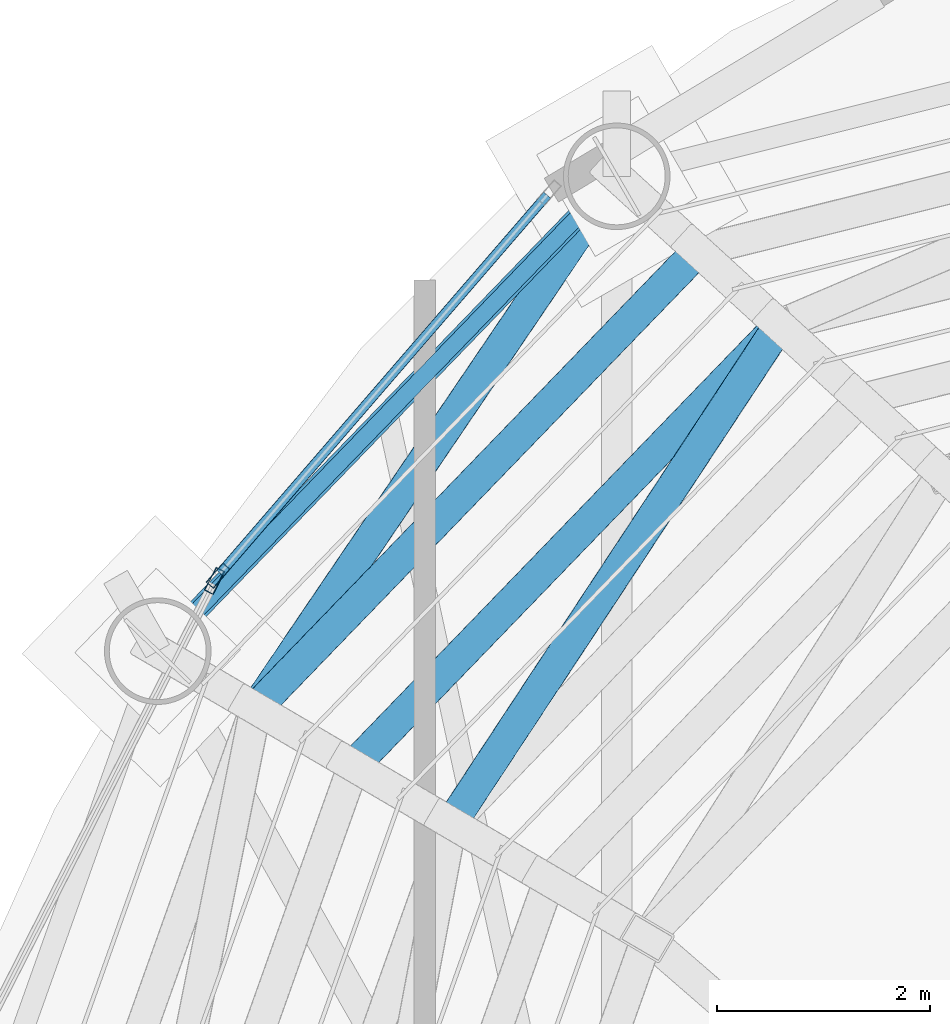
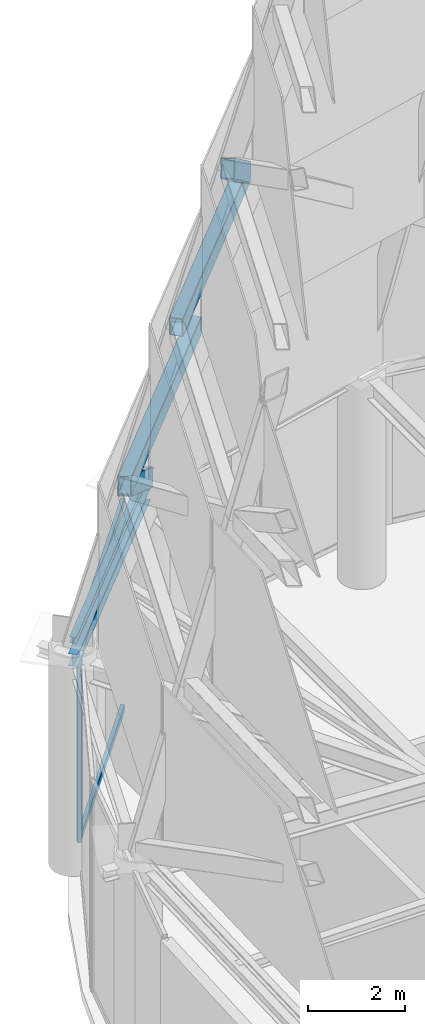
# One storey, part 26 of 40: 8 members, 2 beams, 2 elements without a shape of their own.
"""IFC4 building model written with IfcOpenShell, lengths in metres."""

import ifcopenshell
import ifcopenshell.guid

model = None  # the IFC model being written
_history = None  # IfcOwnerHistory: only IFC2X3 demands one
_inside = {}  # id of a spatial element -> (the spatial element, [elements in it])
_under = {}  # id of a project, library or spatial element -> (it, [spatial elements below it])
_declared = {}  # id of a project -> (the project, [libraries it declares])
_typed = {}  # id of a type object -> (the type object, [elements of that type])
_made_of = {}  # id of a material, layer set ... -> (it, [elements and type objects made of it])


def new_model(schema):
    """Start an empty IFC model of exactly this schema.

    Asked for "IFC4X3", IfcOpenShell would pick the latest addendum, in which some entities
    have other attributes; the version numbers below select the first issue.
    IFC2X3 requires an IfcOwnerHistory on every rooted entity: one is made here for all.
    """
    global model, _history
    if schema == "IFC4X3":
        model = ifcopenshell.file(schema_version=(4, 3, 0, 0))
    else:
        model = ifcopenshell.file(schema=schema)
    _inside.clear()
    _under.clear()
    _declared.clear()
    _typed.clear()
    _made_of.clear()
    _history = None
    if model.schema == "IFC2X3":
        org = make("IfcOrganization", Name="unknown")
        user = make(
            "IfcPersonAndOrganization",
            ThePerson=make("IfcPerson", FamilyName="unknown"),
            TheOrganization=org,
        )
        app = make(
            "IfcApplication",
            ApplicationDeveloper=org,
            Version="unknown",
            ApplicationFullName="unknown",
            ApplicationIdentifier="unknown",
        )
        _history = make(
            "IfcOwnerHistory",
            OwningUser=user,
            OwningApplication=app,
            ChangeAction="ADDED",
            CreationDate=0,
        )
    return model


def make(cls, **values):
    """One entity of the class cls with the attributes given. An attribute that is None is left unset."""
    return model.create_entity(
        cls, **{name: value for name, value in values.items() if value is not None}
    )


def rooted(cls, **values):
    """An entity with a GlobalId (a new one), such as an element, a storey or a relation."""
    return make(cls, GlobalId=ifcopenshell.guid.new(), OwnerHistory=_history, **values)


def si_unit(unit_type, name, prefix=None):
    """IfcSIUnit, for example si_unit("LENGTHUNIT", "METRE", prefix="MILLI")."""
    return make("IfcSIUnit", UnitType=unit_type, Prefix=prefix, Name=name)


def assignment(units):
    """IfcUnitAssignment: the units of a project."""
    return None if units is None else make("IfcUnitAssignment", Units=units)


def point(xyz):
    """IfcCartesianPoint."""
    return None if xyz is None else make("IfcCartesianPoint", Coordinates=xyz)


def direction(xyz):
    """IfcDirection."""
    return None if xyz is None else make("IfcDirection", DirectionRatios=xyz)


def frame(location, z_axis=None, x_axis=None):
    """IfcAxis2Placement3D, a coordinate frame: its origin and axes. An axis left out is left unset."""
    return make(
        "IfcAxis2Placement3D",
        Location=point(location),
        Axis=direction(z_axis),
        RefDirection=direction(x_axis),
    )


def frame_2d(location, x_axis=None):
    """IfcAxis2Placement2D, a coordinate frame in the plane: its origin and x axis."""
    return make(
        "IfcAxis2Placement2D", Location=point(location), RefDirection=direction(x_axis)
    )


def origin():
    """The frame at (0, 0, 0) with its axes left unset."""
    return frame((0.0, 0.0, 0.0))


def origin_2d():
    """The frame at (0, 0) in the plane with its x axis left unset."""
    return frame_2d((0.0, 0.0))


def place(relative_to, where):
    """IfcLocalPlacement: puts the frame where relative to a parent placement (None: the world)."""
    return make(
        "IfcLocalPlacement", PlacementRelTo=relative_to, RelativePlacement=where
    )


def context(
    kind, dimensions, precision=None, world=None, true_north=None, identifier=None
):
    """IfcGeometricRepresentationContext, for example the 3D "Model" context."""
    return make(
        "IfcGeometricRepresentationContext",
        ContextIdentifier=identifier,
        ContextType=kind,
        CoordinateSpaceDimension=dimensions,
        Precision=precision,
        WorldCoordinateSystem=world,
        TrueNorth=true_north,
    )


def subcontext(parent, identifier, kind, view, scale=None):
    """IfcGeometricRepresentationSubContext, for example "Body" below "Model"."""
    return make(
        "IfcGeometricRepresentationSubContext",
        ContextIdentifier=identifier,
        ContextType=kind,
        ParentContext=parent,
        TargetScale=scale,
        TargetView=view,
    )


def project(units=None, contexts=None):
    """IfcProject with its units and contexts."""
    return rooted(
        "IfcProject",
        Name="project",
        RepresentationContexts=contexts,
        UnitsInContext=assignment(units),
    )


def spatial(cls, under=None, at=None, **own):
    """A site, building, storey or space (cls), placed at a placement, below another one or the project."""
    s = rooted(cls, ObjectPlacement=at, **own)
    if under is not None:
        _under.setdefault(under.id(), (under, []))[1].append(s)
    return s


def profile(cls, at=None, kind="AREA", **sizes):
    """A parametric profile (cls). Its sizes go by their IFC names, for example OverallWidth=200.0."""
    return make(cls, ProfileType=kind, Position=at, **sizes)


def hollow_rectangle(**sizes):
    """IfcRectangleHollowProfileDef."""
    return profile("IfcRectangleHollowProfileDef", **sizes)


def i_section(**sizes):
    """IfcIShapeProfileDef."""
    return profile("IfcIShapeProfileDef", **sizes)


def extrude(swept, where, along, depth):
    """IfcExtrudedAreaSolid: the profile swept, set in the frame where, extruded along a direction by depth."""
    return make(
        "IfcExtrudedAreaSolid",
        SweptArea=swept,
        Position=where,
        ExtrudedDirection=direction(along),
        Depth=depth,
    )


def shape(context_of_items, identifier, shape_type, items):
    """IfcShapeRepresentation: the items that make up one representation, for example the "Body"."""
    return make(
        "IfcShapeRepresentation",
        ContextOfItems=context_of_items,
        RepresentationIdentifier=identifier,
        RepresentationType=shape_type,
        Items=items,
    )


def material(Name=None, Category=None):
    """IfcMaterial."""
    return make("IfcMaterial", Name=Name, Category=Category)


def layer(
    of_material, thickness, ventilated=None, Name=None, Category=None, Priority=None
):
    """IfcMaterialLayer: one layer of a wall or slab, of a material (None: an air gap)."""
    return make(
        "IfcMaterialLayer",
        Material=of_material,
        LayerThickness=thickness,
        IsVentilated=ventilated,
        Name=Name,
        Category=Category,
        Priority=Priority,
    )


def layer_set(layers, Name=None):
    """IfcMaterialLayerSet."""
    return make("IfcMaterialLayerSet", MaterialLayers=layers, LayerSetName=Name)


def material_profile(
    of_material, cross_section, Name=None, Category=None, Priority=None
):
    """IfcMaterialProfile: a cross section and its material."""
    return make(
        "IfcMaterialProfile",
        Name=Name,
        Material=of_material,
        Profile=cross_section,
        Priority=Priority,
        Category=Category,
    )


def profile_set(profiles, Name=None, composite=None):
    """IfcMaterialProfileSet."""
    return make(
        "IfcMaterialProfileSet",
        Name=Name,
        MaterialProfiles=profiles,
        CompositeProfile=composite,
    )


def made_of(thing, what):
    """Note that an element or type object is made of a material, layer set ...; save() writes the relation."""
    if what is not None:
        _made_of.setdefault(what.id(), (what, []))[1].append(thing)
    return thing


def type_object(cls, material=None, **own):
    """A type object (cls), such as IfcWallType, which elements share."""
    return made_of(rooted(cls, **own), material)


def element(
    cls,
    number,
    at=None,
    inside=None,
    cuts=None,
    type_object=None,
    material=None,
    context=None,
    identifier="Body",
    shape_type=None,
    held_by="IfcProductDefinitionShape",
    body=None,
    shapes=None,
    **own,
):
    """One element of the class cls, such as IfcWall. Its Tag is "e" and its number.

    at: its placement. inside: the storey or other place that contains it. cuts: it is an
    opening in that element (IfcRelVoidsElement). A single representation is given by context,
    identifier, shape_type and body (its items); several are given by shapes. held_by: the class
    of the entity that holds the representations. save() writes the other relations.
    """
    e = rooted(cls, Tag="e%d" % number, ObjectPlacement=at, **own)
    if body is not None:
        shapes = [shape(context, identifier, shape_type, body)]
    if shapes is not None:
        e.Representation = make(held_by, Representations=shapes)
    if inside is not None:
        _inside.setdefault(inside.id(), (inside, []))[1].append(e)
    if cuts is not None:
        rooted(
            "IfcRelVoidsElement", RelatingBuildingElement=cuts, RelatedOpeningElement=e
        )
    if type_object is not None:
        _typed.setdefault(type_object.id(), (type_object, []))[1].append(e)
    return made_of(e, material)


def aggregate(whole, parts):
    """IfcRelAggregates: a whole, such as a stair, and the parts it consists of."""
    return rooted("IfcRelAggregates", RelatingObject=whole, RelatedObjects=parts)


def save(model, path):
    """Write the relations noted so far, then the file.

    IfcRelAggregates (storeys below a building ...), IfcRelContainedInSpatialStructure (elements
    in a storey), IfcRelDefinesByType, IfcRelAssociatesMaterial and IfcRelDeclares: one each for
    every whole, place, type object, material and project.
    """
    for whole, parts in _under.values():
        aggregate(whole, parts)
    for where, things in _inside.values():
        rooted(
            "IfcRelContainedInSpatialStructure",
            RelatedElements=things,
            RelatingStructure=where,
        )
    for kind, things in _typed.values():
        rooted("IfcRelDefinesByType", RelatedObjects=things, RelatingType=kind)
    for what, things in _made_of.values():
        rooted("IfcRelAssociatesMaterial", RelatedObjects=things, RelatingMaterial=what)
    for by, libraries in _declared.values():
        rooted("IfcRelDeclares", RelatingContext=by, RelatedDefinitions=libraries)
    model.write(path)


model = new_model("IFC4")

# Units and contexts
model_context = context("Model", 3, precision=1e-05, world=origin(), true_north=direction((0.0, 1.0)))
body_context = subcontext(model_context, "Body", "Model", "MODEL_VIEW")
ifc_project = project(units=[si_unit("LENGTHUNIT", "METRE"), si_unit("AREAUNIT", "SQUARE_METRE"), si_unit("VOLUMEUNIT", "CUBIC_METRE"), si_unit("PLANEANGLEUNIT", "RADIAN"), si_unit("MASSUNIT", "GRAM", prefix="KILO")], contexts=[model_context])

# Site, building, storey
site_placement = place(None, origin())
site = spatial("IfcSite", under=ifc_project, at=site_placement, CompositionType="ELEMENT")
building_placement = place(site_placement, origin())
building = spatial("IfcBuilding", under=site, at=building_placement, Name="Bramvorn Convention Spire", CompositionType="ELEMENT")
storey_placement = place(building_placement, frame((0.0, 0.0, 312.5)))
storey = spatial("IfcBuildingStorey", under=building, at=storey_placement, Name="L79", CompositionType="ELEMENT", Elevation=312.5)

# Beams
ifc_material_1 = material(Name="Steel CSA G40.21 Grade 350 (350W)", Category="steel")
ifc_material_profile_1 = material_profile(ifc_material_1, i_section(OverallWidth=0.152099609375, OverallDepth=0.152099609375, WebThickness=0.005859375, FlangeThickness=0.006591796875, FilletRadius=0.008056640625, at=origin_2d()))
ifc_profile_set_1 = profile_set([ifc_material_profile_1], Name="Steel CSA G40.21 Grade 350 (350W) - W150X22")
beam_type_1 = type_object("IfcBeamType", Name="BM-W150X22", PredefinedType="USERDEFINED", material=ifc_profile_set_1)
beam_1_placement = place(storey_placement, frame((26.800048828125, 45.39892578125, 5.60009765625), z_axis=(-0.695007159797, -0.719002814898, 0.0), x_axis=(0.719002814898, -0.695007159797, 0.0)))
element("IfcBeam", 1, at=beam_1_placement, inside=storey, type_object=beam_type_1, Name="Crown spire base glazing purlin 09", ObjectType="PURLIN", PredefinedType="USERDEFINED", context=body_context, shape_type="SweptSolid", body=[
    extrude(i_section(OverallWidth=0.152099609375, OverallDepth=0.152099609375, WebThickness=0.005859375, FlangeThickness=0.006591796875, FilletRadius=0.008056640625, at=origin_2d()), origin(), (0.0, 0.0, 1.0), 6.1962890625),
])
ifc_material_profile_2 = material_profile(ifc_material_1, i_section(OverallWidth=0.202880859375, OverallDepth=0.302978515625, WebThickness=0.007568359375, FlangeThickness=0.01318359375, FilletRadius=0.013916015625, at=origin_2d()))
ifc_profile_set_2 = profile_set([ifc_material_profile_2], Name="Steel CSA G40.21 Grade 350 (350W) - W310X60")
beam_type_2 = type_object("IfcBeamType", Name="BM-W310X60", PredefinedType="JOIST", material=ifc_profile_set_2)
beam_2_placement = place(storey_placement, frame((26.800048828125, 45.39892578125, 5.098388671875), z_axis=(-0.695007159797, -0.719002814898, 0.0), x_axis=(0.719002814898, -0.695007159797, 0.0)))
element("IfcBeam", 2, at=beam_2_placement, inside=storey, type_object=beam_type_2, Name="L79 mega-column ring beam 09", PredefinedType="JOIST", context=body_context, shape_type="SweptSolid", body=[
    extrude(i_section(OverallWidth=0.202880859375, OverallDepth=0.302978515625, WebThickness=0.007568359375, FlangeThickness=0.01318359375, FilletRadius=0.013916015625, at=origin_2d()), origin(), (0.0, 0.0, 1.0), 6.1962890625),
])

# Curtain wall, member
ifc_material_2 = material(Name="Anodised Bronze Unitised Curtain Wall", Category="aluminium")
ifc_layer = layer(ifc_material_2, 0.199951171875)
ifc_layer_set = layer_set([ifc_layer], Name="Anodised Bronze Unitised Curtain Wall - CW-CROWN-SPIRE")
curtain_wall_type = type_object("IfcCurtainWallType", Name="CW-CROWN-SPIRE", PredefinedType="USERDEFINED", material=ifc_layer_set)
curtain_wall_1_placement = place(storey_placement, origin())
curtain_wall_1 = element("IfcCurtainWall", 3, at=curtain_wall_1_placement, inside=storey, type_object=curtain_wall_type, Name="L79 fritted glass curtain wall 14", ObjectType="UNITISED CURTAIN WALL", PredefinedType="USERDEFINED")
ifc_material_3 = material(Name="Anodised Bronze Aluminium 6063-T6", Category="aluminium")
ifc_material_profile_3 = material_profile(ifc_material_3, hollow_rectangle(XDim=0.090087890625, YDim=0.239990234375, WallThickness=0.00439453125, InnerFilletRadius=0.0009765625, OuterFilletRadius=0.00439453125, at=origin_2d()))
ifc_profile_set_3 = profile_set([ifc_material_profile_3], Name="Anodised Bronze Aluminium 6063-T6 - CWM90X240")
member_type_1 = type_object("IfcMemberType", Name="CW-MUL-220", PredefinedType="MULLION", material=ifc_profile_set_3)
member_1_placement = place(storey_placement, frame((23.06005859375, 41.652587890625, 0.0), z_axis=(0.0, 0.0, 1.0), x_axis=(-0.756460178654, 0.6540397527, 0.0)))
member_1 = element("IfcMember", 4, at=member_1_placement, type_object=member_type_1, Name="CW6 mullion 1", PredefinedType="MULLION", context=body_context, shape_type="SweptSolid", body=[
    extrude(hollow_rectangle(XDim=0.090087890625, YDim=0.239990234375, WallThickness=0.00439453125, InnerFilletRadius=0.0009765625, OuterFilletRadius=0.00439453125, at=origin_2d()), origin(), (0.0, 0.0, 1.0), 5.25),
])

curtain_wall_2_placement = place(storey_placement, origin())
curtain_wall_2 = element("IfcCurtainWall", 5, at=curtain_wall_2_placement, inside=storey, type_object=curtain_wall_type, Name="L79 fritted glass curtain wall 15", ObjectType="UNITISED CURTAIN WALL", PredefinedType="USERDEFINED")
member_2_placement = place(storey_placement, frame((23.02685546875, 41.603271484375, 0.0), z_axis=(0.0, 0.0, 1.0), x_axis=(-0.890509664931, 0.454964324607, 0.0)))
member_2 = element("IfcMember", 6, at=member_2_placement, type_object=member_type_1, Name="CW6 mullion 2", PredefinedType="MULLION", context=body_context, shape_type="SweptSolid", body=[
    extrude(hollow_rectangle(XDim=0.090087890625, YDim=0.239990234375, WallThickness=0.00439453125, InnerFilletRadius=0.0009765625, OuterFilletRadius=0.00439453125, at=origin_2d()), origin(), (0.0, 0.0, 1.0), 5.25),
])
aggregate(curtain_wall_2, [member_2])

# Member
ifc_material_profile_4 = material_profile(ifc_material_3, hollow_rectangle(XDim=0.090087890625, YDim=0.179931640625, WallThickness=0.00439453125, InnerFilletRadius=0.0009765625, OuterFilletRadius=0.00439453125, at=origin_2d()))
ifc_profile_set_4 = profile_set([ifc_material_profile_4], Name="Anodised Bronze Aluminium 6063-T6 - CWT90X180")
member_type_2 = type_object("IfcMemberType", Name="CW-TRN-180", PredefinedType="USERDEFINED", material=ifc_profile_set_4)
member_3_placement = place(storey_placement, frame((23.079833984375, 41.67529296875, 0.030029296875), z_axis=(0.654004645726, 0.756490530918, 0.0), x_axis=(-0.756490530918, 0.654004645726, 0.0)))
member_3 = element("IfcMember", 7, at=member_3_placement, type_object=member_type_2, Name="CW6 transom 1.1", ObjectType="TRANSOM", PredefinedType="USERDEFINED", context=body_context, shape_type="SweptSolid", body=[
    extrude(hollow_rectangle(XDim=0.090087890625, YDim=0.179931640625, WallThickness=0.00439453125, InnerFilletRadius=0.0009765625, OuterFilletRadius=0.00439453125, at=origin_2d()), origin(), (0.0, 0.0, 1.0), 4.6904296875),
])

member_4_placement = place(storey_placement, frame((23.079833984375, 41.67529296875, 5.219970703125), z_axis=(0.654004645726, 0.756490530918, 0.0), x_axis=(-0.756490530918, 0.654004645726, 0.0)))
member_4 = element("IfcMember", 8, at=member_4_placement, type_object=member_type_2, Name="CW6 transom 1.2", ObjectType="TRANSOM", PredefinedType="USERDEFINED", context=body_context, shape_type="SweptSolid", body=[
    extrude(hollow_rectangle(XDim=0.090087890625, YDim=0.179931640625, WallThickness=0.00439453125, InnerFilletRadius=0.0009765625, OuterFilletRadius=0.00439453125, at=origin_2d()), origin(), (0.0, 0.0, 1.0), 4.6904296875),
])

aggregate(curtain_wall_1, [member_1, member_3, member_4])

# Members
ifc_material_profile_5 = material_profile(ifc_material_1, hollow_rectangle(XDim=0.300048828125, YDim=0.449951171875, WallThickness=0.02001953125, InnerFilletRadius=0.00390625, OuterFilletRadius=0.02392578125, at=origin_2d()))
ifc_profile_set_5 = profile_set([ifc_material_profile_5], Name="Steel CSA G40.21 Grade 350 (350W) - CROWN450X300X20")
member_type_3 = type_object("IfcMemberType", Name="MBR-CROWN450X300X20", PredefinedType="USERDEFINED", material=ifc_profile_set_5)
member_5_placement = place(storey_placement, frame((27.563232421875, 44.70068359375, 9.5), z_axis=(-0.694988290365, -0.719021054111, 0.0), x_axis=(0.719021054111, -0.694988290365, 0.0)))
element("IfcMember", 9, at=member_5_placement, inside=storey, type_object=member_type_3, Name="Crown spire CROWN FRAME ring beam T1-09", ObjectType="CROWN FRAME", PredefinedType="USERDEFINED", context=body_context, shape_type="SweptSolid", body=[
    extrude(hollow_rectangle(XDim=0.300048828125, YDim=0.449951171875, WallThickness=0.02001953125, InnerFilletRadius=0.00390625, OuterFilletRadius=0.02392578125, at=origin_2d()), origin(), (0.0, 0.0, 1.0), 5.973388671875),
])
member_6_placement = place(storey_placement, frame((26.800048828125, 45.39892578125, 5.5), z_axis=(-0.468008501694, -0.689703838928, 0.552518467484), x_axis=(0.827478459906, -0.561497460717, 0.0)))
element("IfcMember", 10, at=member_6_placement, inside=storey, type_object=member_type_3, Name="Crown spire CROWN FRAME wind brace T1-09", ObjectType="CROWN FRAME", PredefinedType="USERDEFINED", context=body_context, shape_type="SweptSolid", body=[
    extrude(hollow_rectangle(XDim=0.300048828125, YDim=0.449951171875, WallThickness=0.02001953125, InnerFilletRadius=0.00390625, OuterFilletRadius=0.02392578125, at=origin_2d()), origin(), (0.0, 0.0, 1.0), 7.239501953125),
])
member_7_placement = place(storey_placement, frame((28.326416015625, 44.002197265625, 13.5), z_axis=(-0.695010390672, -0.718999691834, 0.0), x_axis=(0.718999691834, -0.695010390672, 0.0)))
element("IfcMember", 11, at=member_7_placement, inside=storey, type_object=member_type_3, Name="Crown spire CROWN FRAME ring beam T2-09", ObjectType="CROWN FRAME", PredefinedType="USERDEFINED", context=body_context, shape_type="SweptSolid", body=[
    extrude(hollow_rectangle(XDim=0.300048828125, YDim=0.449951171875, WallThickness=0.02001953125, InnerFilletRadius=0.00390625, OuterFilletRadius=0.02392578125, at=origin_2d()), origin(), (0.0, 0.0, 1.0), 5.75),
])
member_8_placement = place(storey_placement, frame((28.326416015625, 44.002197265625, 13.5), z_axis=(-0.447536961486, -0.679327599057, 0.581570873809), x_axis=(0.835072103993, -0.550140510354, 0.0)))
element("IfcMember", 12, at=member_8_placement, inside=storey, type_object=member_type_3, Name="Crown spire CROWN FRAME wind brace T3-09", ObjectType="CROWN FRAME", PredefinedType="USERDEFINED", context=body_context, shape_type="SweptSolid", body=[
    extrude(hollow_rectangle(XDim=0.300048828125, YDim=0.449951171875, WallThickness=0.02001953125, InnerFilletRadius=0.00390625, OuterFilletRadius=0.02392578125, at=origin_2d()), origin(), (0.0, 0.0, 1.0), 6.8779296875),
])

save(model, "model.ifc")
